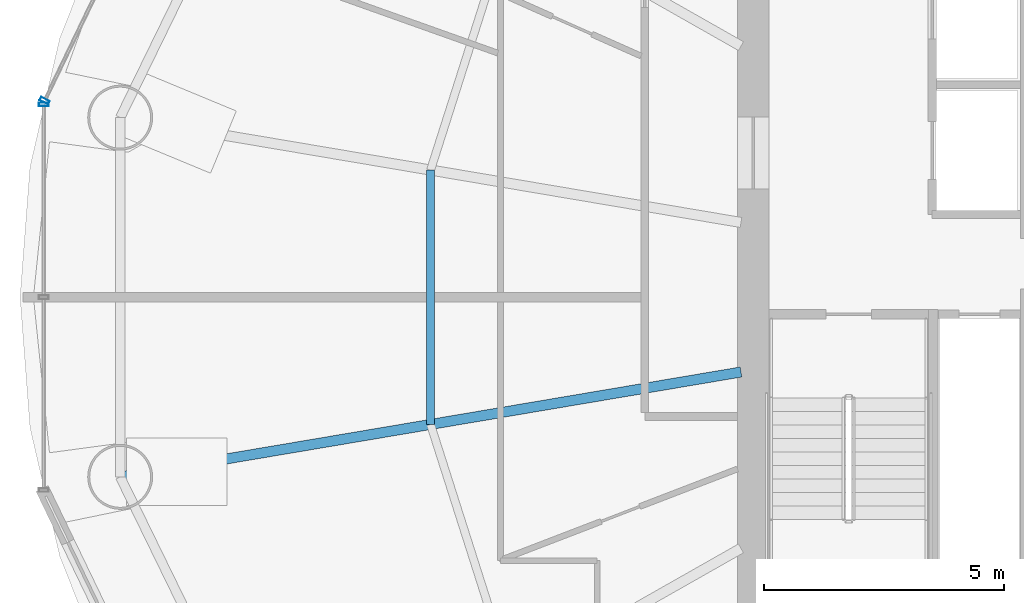
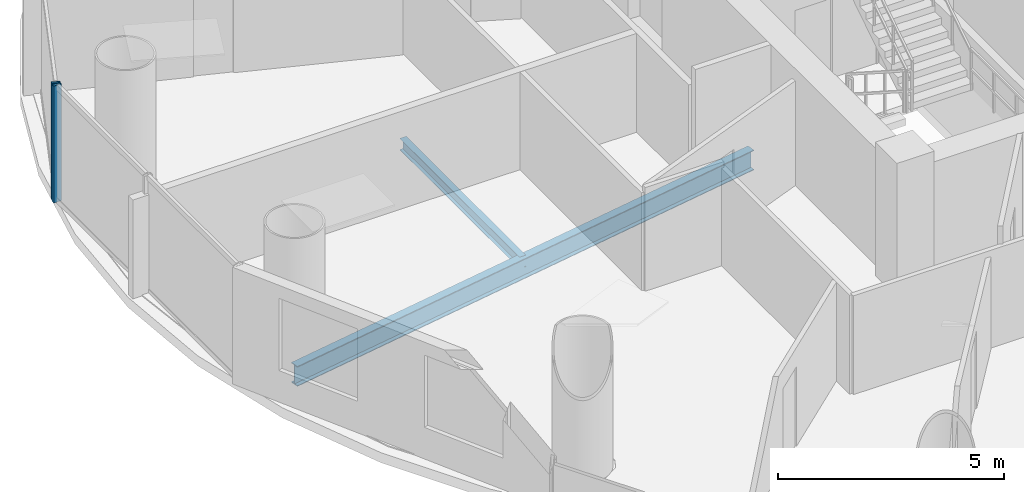
# One storey, part 7 of 26: 2 beams, 2 members, 2 elements without a shape of their own.
"""IFC4 building model written with IfcOpenShell, lengths in metres."""

from ifc_helpers import new_model, si_unit, direction, frame, origin, origin_2d, place, context, subcontext, project, spatial, hollow_rectangle, i_section, extrude, source, transform, mapped, material, material_profile, profile_set, type_object, element, aggregate, save


model = new_model("IFC4")

# Units and contexts
model_context = context("Model", 3, precision=1e-05, world=origin(), true_north=direction((-0.2419218956, 0.970295726276)))
body_context = subcontext(model_context, "Body", "Model", "MODEL_VIEW")
ifc_project = project(units=[si_unit("LENGTHUNIT", "METRE"), si_unit("AREAUNIT", "SQUARE_METRE"), si_unit("VOLUMEUNIT", "CUBIC_METRE"), si_unit("PLANEANGLEUNIT", "RADIAN"), si_unit("MASSUNIT", "GRAM", prefix="KILO")], contexts=[model_context])

# Site, building, storey
site_placement = place(None, origin())
site = spatial("IfcSite", under=ifc_project, at=site_placement, CompositionType="ELEMENT")
building_placement = place(site_placement, origin())
building = spatial("IfcBuilding", under=site, at=building_placement, Name="Cobrevalo Terracotta Tower", CompositionType="ELEMENT")
storey_placement = place(building_placement, frame((0.0, 0.0, 182.199951171875)))
storey = spatial("IfcBuildingStorey", under=building, at=storey_placement, Name="L48", CompositionType="ELEMENT", Elevation=182.199951171875)

# Beams
ifc_material_1 = material(Name="Steel S355", Category="steel")
ifc_material_profile_1 = material_profile(ifc_material_1, i_section(OverallWidth=0.2109375, OverallDepth=0.5390625, WebThickness=0.01171875, FlangeThickness=0.018798828125, at=origin_2d()), Name="W 530x109")
ifc_profile_set_1 = profile_set([ifc_material_profile_1], Name="Steel S355")
beam_type_1 = type_object("IfcBeamType", Name="Structural Beam W 530x109 (Steel S355)", PredefinedType="BEAM", material=ifc_profile_set_1)
beam_1_placement = place(storey_placement, frame((15.88330078125, 23.06396484375, -0.53955078125), z_axis=(0.986029732232, 0.166569406417, 0.0), x_axis=(-0.166569406417, 0.986029732232, 0.0)))
element("IfcBeam", 1, at=beam_1_placement, inside=storey, type_object=beam_type_1, Name="L48 radial floor girder 09", PredefinedType="BEAM", context=body_context, shape_type="SweptSolid", body=[
    extrude(i_section(OverallWidth=0.2109375, OverallDepth=0.5390625, WebThickness=0.01171875, FlangeThickness=0.018798828125, at=origin_2d()), origin(), (0.0, 0.0, 1.0), 13.094482421875),
])
ifc_material_profile_2 = material_profile(ifc_material_1, i_section(OverallWidth=0.1650390625, OverallDepth=0.31005859375, WebThickness=0.005859375, FlangeThickness=0.009765625, at=origin_2d()), Name="W 310x38.7")
ifc_profile_set_2 = profile_set([ifc_material_profile_2], Name="Steel S355")
beam_type_2 = type_object("IfcBeamType", Name="Structural Joist W 310x38.7 (Steel S355)", PredefinedType="JOIST", material=ifc_profile_set_2)
beam_2_placement = place(storey_placement, frame((22.339111328125, 29.445556640625, -0.425048828125), z_axis=(0.0, -1.0, 0.0), x_axis=(1.0, 0.0, 0.0)))
element("IfcBeam", 2, at=beam_2_placement, inside=storey, type_object=beam_type_2, Name="L48 circumferential secondary floor joist 08", PredefinedType="JOIST", context=body_context, shape_type="SweptSolid", body=[
    extrude(i_section(OverallWidth=0.1650390625, OverallDepth=0.31005859375, WebThickness=0.005859375, FlangeThickness=0.009765625, at=origin_2d()), origin(), (0.0, 0.0, 1.0), 5.291015625),
])

# Curtain wall, member
ifc_material_2 = material(Name="Anodized aluminium", Category="aluminium")
curtain_wall_type = type_object("IfcCurtainWallType", Name="Mid-tower high-wind unitised curtain wall CW-U2", PredefinedType="NOTDEFINED", material=ifc_material_2)
curtain_wall_1_placement = place(storey_placement, origin())
curtain_wall_1 = element("IfcCurtainWall", 3, at=curtain_wall_1_placement, inside=storey, type_object=curtain_wall_type, Name="L48 curtain wall CW-L48-S07", PredefinedType="NOTDEFINED")
ifc_material_profile_3 = material_profile(ifc_material_2, hollow_rectangle(XDim=0.074951171875, YDim=0.199951171875, WallThickness=0.0048828125, at=origin_2d()), Name="CWM 75x200")
ifc_profile_set_3 = profile_set([ifc_material_profile_3], Name="Anodized aluminium")
member_type = type_object("IfcMemberType", Name="Lower/mid tower unitised mullion 75x200", PredefinedType="MULLION", material=ifc_profile_set_3)
shared_shape = source(origin(), body_context, "Body", "SweptSolid", [
    extrude(hollow_rectangle(XDim=0.074951171875, YDim=0.199951171875, WallThickness=0.0048828125, at=origin_2d()), origin(), (0.0, 0.0, 1.0), 3.150146484375),
])
member_1_placement = place(storey_placement, frame((14.311767578125, 30.887939453125, 0.0), z_axis=(0.0, 0.0, 1.0), x_axis=(-0.434209440271, -0.900811945957, 0.0)))
member_1 = element("IfcMember", 4, at=member_1_placement, type_object=member_type, Name="CW-L48-S07 vertical mullion 03", PredefinedType="MULLION", context=body_context, shape_type="MappedRepresentation", body=[
    mapped(shared_shape, transform((0.0, 0.0, 0.0), scale=1.0)),
])
aggregate(curtain_wall_1, [member_1])

curtain_wall_2_placement = place(storey_placement, origin())
curtain_wall_2 = element("IfcCurtainWall", 5, at=curtain_wall_2_placement, inside=storey, type_object=curtain_wall_type, Name="L48 curtain wall CW-L48-S08", PredefinedType="NOTDEFINED")
member_2_placement = place(storey_placement, frame((14.29443359375, 30.81201171875, 0.0), z_axis=(0.0, 0.0, 1.0), x_axis=(0.0, -1.0, 0.0)))
member_2 = element("IfcMember", 6, at=member_2_placement, type_object=member_type, Name="CW-L48-S08 vertical mullion 01", PredefinedType="MULLION", context=body_context, shape_type="MappedRepresentation", body=[
    mapped(shared_shape, transform((0.0, 0.0, 0.0), scale=1.0)),
])
aggregate(curtain_wall_2, [member_2])

save(model, "model.ifc")
